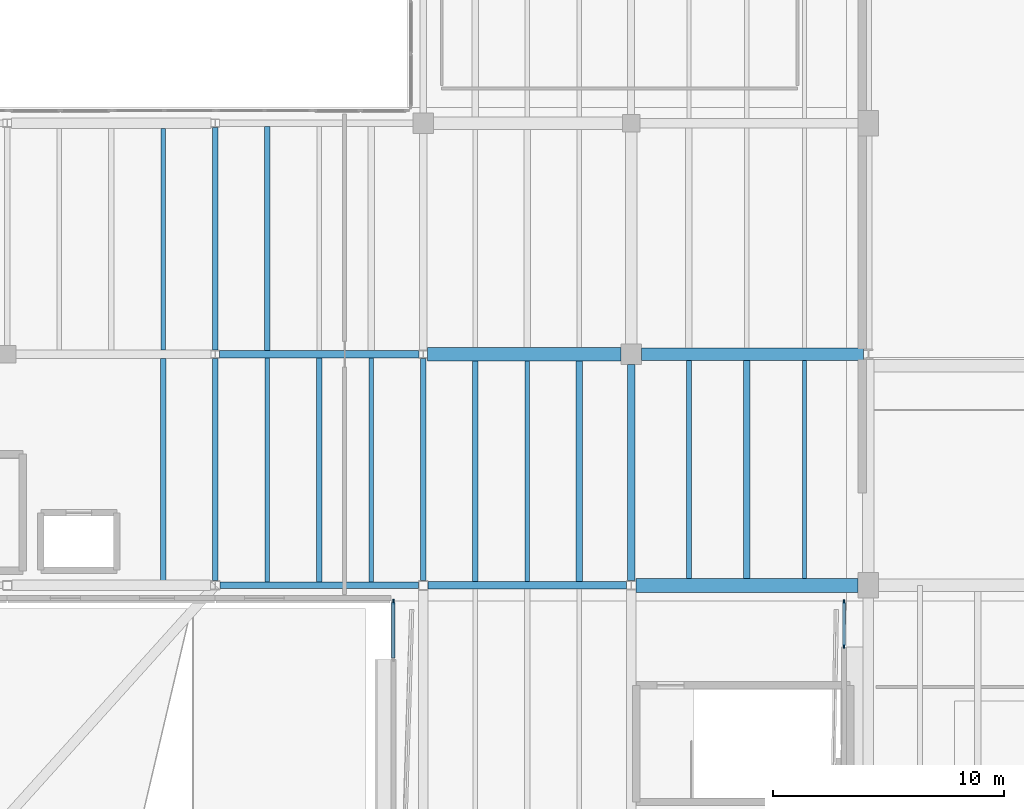
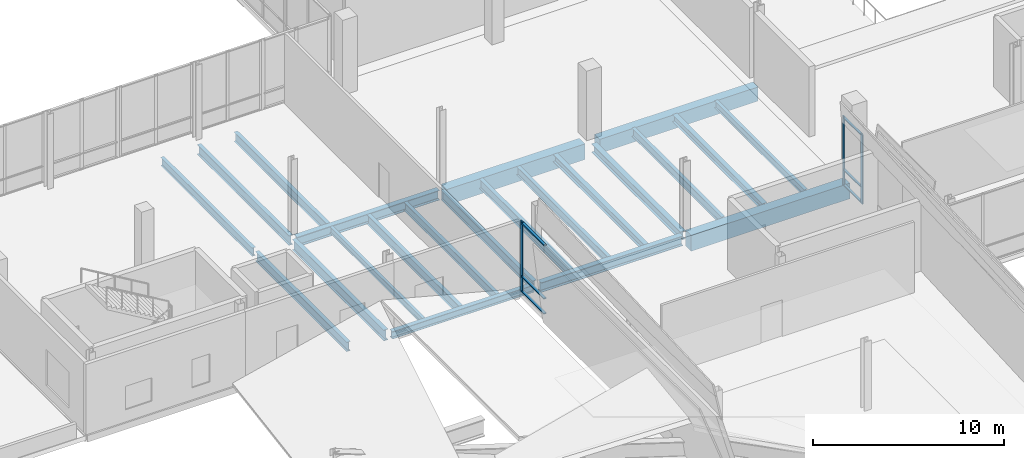
# One storey, part 14 of 41: 22 beams, 9 members, 2 elements without a shape of their own.
"""IFC4 building model written with IfcOpenShell, lengths in metres."""

from ifc_helpers import new_model, si_unit, direction, frame, origin, origin_2d, place, context, subcontext, project, spatial, rectangle, i_section, extrude, material, material_profile, profile_set, type_object, element, aggregate, save


model = new_model("IFC4")

# Units and contexts
model_context = context("Model", 3, precision=1e-05, world=origin(), true_north=direction((0.0, 1.0)))
body_context = subcontext(model_context, "Body", "Model", "MODEL_VIEW")
ifc_project = project(units=[si_unit("LENGTHUNIT", "METRE"), si_unit("AREAUNIT", "SQUARE_METRE"), si_unit("VOLUMEUNIT", "CUBIC_METRE"), si_unit("PLANEANGLEUNIT", "RADIAN"), si_unit("MASSUNIT", "GRAM", prefix="KILO")], contexts=[model_context])

# Site, building, storey
site_placement = place(None, origin())
site = spatial("IfcSite", under=ifc_project, at=site_placement, CompositionType="ELEMENT")
building_placement = place(site_placement, origin())
building = spatial("IfcBuilding", under=site, at=building_placement, Name="Trimount Lyric Opera House", CompositionType="ELEMENT")
storey_placement = place(building_placement, frame((0.0, 0.0, 20.0)))
storey = spatial("IfcBuildingStorey", under=building, at=storey_placement, Name="L04", CompositionType="ELEMENT", Elevation=20.0)

# Beams
ifc_material_1 = material(Name="Steel ASTM A992 Grade 50", Category="steel")
ifc_material_profile_1 = material_profile(ifc_material_1, i_section(OverallWidth=0.25390625, OverallDepth=0.68798828125, WebThickness=0.01318359375, FlangeThickness=0.02099609375, FilletRadius=0.01611328125, at=origin_2d()), Name="W27X102")
ifc_profile_set_1 = profile_set([ifc_material_profile_1], Name="Steel ASTM A992 Grade 50")
beam_type_1 = type_object("IfcBeamType", Name="B-09", PredefinedType="BEAM", material=ifc_profile_set_1)
beam_1_placement = place(storey_placement, frame((36.0, 54.20849609375, -0.6240234375), z_axis=(0.0, 1.0, 0.0), x_axis=(-1.0, 0.0, 0.0)))
element("IfcBeam", 1, at=beam_1_placement, inside=storey, type_object=beam_type_1, Name="L04 girder Y-1192", PredefinedType="BEAM", context=body_context, shape_type="SweptSolid", body=[
    extrude(i_section(OverallWidth=0.25390625, OverallDepth=0.68798828125, WebThickness=0.01318359375, FlangeThickness=0.02099609375, FilletRadius=0.01611328125, at=origin_2d()), origin(), (0.0, 0.0, 1.0), 9.613525390625),
])
ifc_material_2 = material(Name="Steel ASTM A992 Grade 50", Category="steel")
ifc_material_profile_2 = material_profile(ifc_material_2, i_section(OverallWidth=0.327880859375, OverallDepth=0.626953125, WebThickness=0.0166015625, FlangeThickness=0.027587890625, FilletRadius=0.01611328125, at=origin_2d()), Name="W24X146")
ifc_profile_set_2 = profile_set([ifc_material_profile_2], Name="Steel ASTM A992 Grade 50")
beam_type_2 = type_object("IfcBeamType", Name="B-10", PredefinedType="BEAM", material=ifc_profile_set_2)
beam_2_placement = place(storey_placement, frame((45.203125, 54.0, -0.593505859375), z_axis=(1.0, 0.0, 0.0), x_axis=(0.0, 1.0, 0.0)))
element("IfcBeam", 2, at=beam_2_placement, inside=storey, type_object=beam_type_2, Name="L04 girder X-1140", PredefinedType="BEAM", context=body_context, shape_type="SweptSolid", body=[
    extrude(i_section(OverallWidth=0.327880859375, OverallDepth=0.626953125, WebThickness=0.0166015625, FlangeThickness=0.027587890625, FilletRadius=0.01611328125, at=origin_2d()), origin(), (0.0, 0.0, 1.0), 8.593994140625),
])
beam_3_placement = place(storey_placement, frame((36.18408203125, 64.0, -0.593505859375), z_axis=(1.0, 0.0, 0.0), x_axis=(0.0, 1.0, 0.0)))
element("IfcBeam", 3, at=beam_3_placement, inside=storey, type_object=beam_type_2, Name="L04 girder X-1152", PredefinedType="BEAM", context=body_context, shape_type="SweptSolid", body=[
    extrude(i_section(OverallWidth=0.327880859375, OverallDepth=0.626953125, WebThickness=0.0166015625, FlangeThickness=0.027587890625, FilletRadius=0.01611328125, at=origin_2d()), origin(), (0.0, 0.0, 1.0), 8.6318359375),
])
ifc_material_3 = material(Name="Steel ASTM A992 Grade 50", Category="steel")
ifc_material_profile_3 = material_profile(ifc_material_3, i_section(OverallWidth=0.22998046875, OverallDepth=0.616943359375, WebThickness=0.01318359375, FlangeThickness=0.022216796875, FilletRadius=0.013916015625, at=origin_2d()), Name="W24X94")
ifc_profile_set_3 = profile_set([ifc_material_profile_3], Name="Steel ASTM A992 Grade 50")
beam_type_3 = type_object("IfcBeamType", Name="B-11", PredefinedType="BEAM", material=ifc_profile_set_3)
beam_4_placement = place(storey_placement, frame((36.0, 64.177978515625, -0.58837890625), z_axis=(0.0, 1.0, 0.0), x_axis=(-1.0, 0.0, 0.0)))
element("IfcBeam", 4, at=beam_4_placement, inside=storey, type_object=beam_type_3, Name="L04 girder Y-1193", PredefinedType="BEAM", context=body_context, shape_type="SweptSolid", body=[
    extrude(i_section(OverallWidth=0.22998046875, OverallDepth=0.616943359375, WebThickness=0.01318359375, FlangeThickness=0.022216796875, FilletRadius=0.013916015625, at=origin_2d()), origin(), (0.0, 0.0, 1.0), 9.64404296875),
])
beam_5_placement = place(storey_placement, frame((45.0, 54.203125, -0.58837890625), z_axis=(0.0, 1.0, 0.0), x_axis=(-1.0, 0.0, 0.0)))
element("IfcBeam", 5, at=beam_5_placement, inside=storey, type_object=beam_type_3, Name="L04 girder Y-1199", PredefinedType="BEAM", context=body_context, shape_type="SweptSolid", body=[
    extrude(i_section(OverallWidth=0.22998046875, OverallDepth=0.616943359375, WebThickness=0.01318359375, FlangeThickness=0.022216796875, FilletRadius=0.013916015625, at=origin_2d()), origin(), (0.0, 0.0, 1.0), 9.618896484375),
])
ifc_material_4 = material(Name="Steel ASTM A992 Grade 50", Category="steel")
ifc_material_profile_4 = material_profile(ifc_material_4, i_section(OverallWidth=0.31201171875, OverallDepth=0.5458984375, WebThickness=0.013916015625, FlangeThickness=0.022216796875, FilletRadius=0.014892578125, at=origin_2d()), Name="W21X111")
ifc_profile_set_4 = profile_set([ifc_material_profile_4], Name="Steel ASTM A992 Grade 50")
beam_type_4 = type_object("IfcBeamType", Name="B-12", PredefinedType="BEAM", material=ifc_profile_set_4)
beam_6_placement = place(storey_placement, frame((54.0, 54.20849609375, -0.552978515625), z_axis=(0.0, 1.0, 0.0), x_axis=(-1.0, 0.0, 0.0)))
element("IfcBeam", 6, at=beam_6_placement, inside=storey, type_object=beam_type_4, Name="L04 girder Y-1209", PredefinedType="BEAM", context=body_context, shape_type="SweptSolid", body=[
    extrude(i_section(OverallWidth=0.31201171875, OverallDepth=0.5458984375, WebThickness=0.013916015625, FlangeThickness=0.022216796875, FilletRadius=0.014892578125, at=origin_2d()), origin(), (0.0, 0.0, 1.0), 9.341552734375),
])
ifc_material_5 = material(Name="Concrete C40/50", Category="concrete")
ifc_material_profile_5 = material_profile(ifc_material_5, rectangle(XDim=0.60009765625, YDim=1.0, at=origin_2d()), Name="RC600X1000")
ifc_profile_set_5 = profile_set([ifc_material_profile_5], Name="Concrete C40/50")
beam_type_5 = type_object("IfcBeamType", Name="B-13", PredefinedType="BEAM", material=ifc_profile_set_5)
beam_7_placement = place(storey_placement, frame((54.202880859375, 54.0, -0.824951171875), z_axis=(1.0, 0.0, 0.0), x_axis=(0.0, 1.0, 0.0)))
element("IfcBeam", 7, at=beam_7_placement, inside=storey, type_object=beam_type_5, Name="L04 girder X-1141", PredefinedType="BEAM", context=body_context, shape_type="SweptSolid", body=[
    extrude(rectangle(XDim=0.60009765625, YDim=1.0, at=origin_2d()), origin(), (0.0, 0.0, 1.0), 9.607177734375),
])
beam_8_placement = place(storey_placement, frame((45.18408203125, 64.0, -0.780029296875), z_axis=(1.0, 0.0, 0.0), x_axis=(0.0, 1.0, 0.0)))
element("IfcBeam", 8, at=beam_8_placement, inside=storey, type_object=beam_type_5, Name="L04 girder X-1153", PredefinedType="BEAM", context=body_context, shape_type="SweptSolid", body=[
    extrude(rectangle(XDim=0.60009765625, YDim=1.0, at=origin_2d()), origin(), (0.0, 0.0, 1.0), 8.365966796875),
])
ifc_material_6 = material(Name="Concrete C40/50", Category="concrete")
ifc_material_profile_6 = material_profile(ifc_material_6, rectangle(XDim=0.550048828125, YDim=0.89990234375, at=origin_2d()), Name="RC550X900")
ifc_profile_set_6 = profile_set([ifc_material_profile_6], Name="Concrete C40/50")
beam_type_6 = type_object("IfcBeamType", Name="B-14", PredefinedType="BEAM", material=ifc_profile_set_6)
beam_9_placement = place(storey_placement, frame((54.449951171875, 64.0, -0.77490234375), z_axis=(1.0, 0.0, 0.0), x_axis=(0.0, 1.0, 0.0)))
element("IfcBeam", 9, at=beam_9_placement, inside=storey, type_object=beam_type_6, Name="L04 girder X-1154", PredefinedType="BEAM", context=body_context, shape_type="SweptSolid", body=[
    extrude(rectangle(XDim=0.550048828125, YDim=0.89990234375, at=origin_2d()), origin(), (0.0, 0.0, 1.0), 9.59912109375),
])
ifc_material_7 = material(Name="Steel ASTM A992 Grade 50", Category="steel")
ifc_material_profile_7 = material_profile(ifc_material_7, i_section(OverallWidth=0.22802734375, OverallDepth=0.60205078125, WebThickness=0.010498046875, FlangeThickness=0.014892578125, FilletRadius=0.012939453125, at=origin_2d()), Name="W24X68")
ifc_profile_set_7 = profile_set([ifc_material_profile_7], Name="Steel ASTM A992 Grade 50")
beam_type_7 = type_object("IfcBeamType", Name="J-01", PredefinedType="BEAM", material=ifc_profile_set_7)
beam_10_placement = place(storey_placement, frame((33.75, 54.220947265625, -0.5810546875), z_axis=(0.0, 1.0, 0.0), x_axis=(-1.0, 0.0, 0.0)))
element("IfcBeam", 10, at=beam_10_placement, inside=storey, type_object=beam_type_7, Name="L04 composite floor joist 1137", PredefinedType="BEAM", context=body_context, shape_type="SweptSolid", body=[
    extrude(i_section(OverallWidth=0.22802734375, OverallDepth=0.60205078125, WebThickness=0.010498046875, FlangeThickness=0.014892578125, FilletRadius=0.012939453125, at=origin_2d()), origin(), (0.0, 0.0, 1.0), 9.60498046875),
])
for number, where, z_axis, x_axis, name in (
    (11, (40.5, 54.136962890625, -0.5810546875), (0.0, 1.0, 0.0), (-1.0, 0.0, 0.0), "L04 composite floor joist 1142"),
    (12, (38.25, 64.159912109375, -0.5810546875), (0.0, 1.0, 0.0), (-1.0, 0.0, 0.0), "L04 composite floor joist 1144"),
):
    element("IfcBeam", number, at=place(storey_placement, frame(where, z_axis=z_axis, x_axis=x_axis)), inside=storey, type_object=beam_type_7, Name=name, PredefinedType="BEAM", context=body_context, shape_type="SweptSolid", body=[
        extrude(i_section(OverallWidth=0.22802734375, OverallDepth=0.60205078125, WebThickness=0.010498046875, FlangeThickness=0.014892578125, FilletRadius=0.012939453125, at=origin_2d()), origin(), (0.0, 0.0, 1.0), 9.703125),
    ])
beam_11_placement = place(storey_placement, frame((47.25, 54.159912109375, -0.5810546875), z_axis=(0.0, 1.0, 0.0), x_axis=(-1.0, 0.0, 0.0)))
element("IfcBeam", 13, at=beam_11_placement, inside=storey, type_object=beam_type_7, Name="L04 composite floor joist 1162", PredefinedType="BEAM", context=body_context, shape_type="SweptSolid", body=[
    extrude(i_section(OverallWidth=0.22802734375, OverallDepth=0.60205078125, WebThickness=0.010498046875, FlangeThickness=0.014892578125, FilletRadius=0.012939453125, at=origin_2d()), origin(), (0.0, 0.0, 1.0), 9.544189453125),
])
ifc_material_8 = material(Name="Steel ASTM A992 Grade 50", Category="steel")
ifc_material_profile_8 = material_profile(ifc_material_8, i_section(OverallWidth=0.2099609375, OverallDepth=0.532958984375, WebThickness=0.01025390625, FlangeThickness=0.015625, FilletRadius=0.012939453125, at=origin_2d()), Name="W21X62")
ifc_profile_set_8 = profile_set([ifc_material_profile_8], Name="Steel ASTM A992 Grade 50")
beam_type_8 = type_object("IfcBeamType", Name="J-02", PredefinedType="BEAM", material=ifc_profile_set_8)
beam_12_placement = place(storey_placement, frame((33.75, 64.174072265625, -0.54638671875), z_axis=(0.0, 1.0, 0.0), x_axis=(-1.0, 0.0, 0.0)))
element("IfcBeam", 14, at=beam_12_placement, inside=storey, type_object=beam_type_8, Name="L04 composite floor joist 1140", PredefinedType="BEAM", context=body_context, shape_type="SweptSolid", body=[
    extrude(i_section(OverallWidth=0.2099609375, OverallDepth=0.532958984375, WebThickness=0.01025390625, FlangeThickness=0.015625, FilletRadius=0.012939453125, at=origin_2d()), origin(), (0.0, 0.0, 1.0), 9.60498046875),
])
beam_13_placement = place(storey_placement, frame((42.75, 54.136962890625, -0.54638671875), z_axis=(0.0, 1.0, 0.0), x_axis=(-1.0, 0.0, 0.0)))
element("IfcBeam", 15, at=beam_13_placement, inside=storey, type_object=beam_type_8, Name="L04 composite floor joist 1143", PredefinedType="BEAM", context=body_context, shape_type="SweptSolid", body=[
    extrude(i_section(OverallWidth=0.2099609375, OverallDepth=0.532958984375, WebThickness=0.01025390625, FlangeThickness=0.015625, FilletRadius=0.012939453125, at=origin_2d()), origin(), (0.0, 0.0, 1.0), 9.703125),
])
beam_14_placement = place(storey_placement, frame((49.5, 54.159912109375, -0.54638671875), z_axis=(0.0, 1.0, 0.0), x_axis=(-1.0, 0.0, 0.0)))
element("IfcBeam", 16, at=beam_14_placement, inside=storey, type_object=beam_type_8, Name="L04 composite floor joist 1163", PredefinedType="BEAM", context=body_context, shape_type="SweptSolid", body=[
    extrude(i_section(OverallWidth=0.2099609375, OverallDepth=0.532958984375, WebThickness=0.01025390625, FlangeThickness=0.015625, FilletRadius=0.012939453125, at=origin_2d()), origin(), (0.0, 0.0, 1.0), 9.544189453125),
])
beam_15_placement = place(storey_placement, frame((56.5, 54.2958984375, -0.54638671875), z_axis=(0.0, 1.0, 0.0), x_axis=(-1.0, 0.0, 0.0)))
element("IfcBeam", 17, at=beam_15_placement, inside=storey, type_object=beam_type_8, Name="L04 composite floor joist 1183", PredefinedType="BEAM", context=body_context, shape_type="SweptSolid", body=[
    extrude(i_section(OverallWidth=0.2099609375, OverallDepth=0.532958984375, WebThickness=0.01025390625, FlangeThickness=0.015625, FilletRadius=0.012939453125, at=origin_2d()), origin(), (0.0, 0.0, 1.0), 9.43310546875),
])
ifc_material_9 = material(Name="Steel ASTM A992 Grade 50", Category="steel")
ifc_material_profile_9 = material_profile(ifc_material_9, i_section(OverallWidth=0.281982421875, OverallDepth=0.467041015625, WebThickness=0.01220703125, FlangeThickness=0.01953125, FilletRadius=0.012939453125, at=origin_2d()), Name="W18X86")
ifc_profile_set_9 = profile_set([ifc_material_profile_9], Name="Steel ASTM A992 Grade 50")
beam_type_9 = type_object("IfcBeamType", Name="J-03", PredefinedType="BEAM", material=ifc_profile_set_9)
beam_16_placement = place(storey_placement, frame((51.75, 54.159912109375, -0.513427734375), z_axis=(0.0, 1.0, 0.0), x_axis=(-1.0, 0.0, 0.0)))
element("IfcBeam", 18, at=beam_16_placement, inside=storey, type_object=beam_type_9, Name="L04 composite floor joist 1164", PredefinedType="BEAM", context=body_context, shape_type="SweptSolid", body=[
    extrude(i_section(OverallWidth=0.281982421875, OverallDepth=0.467041015625, WebThickness=0.01220703125, FlangeThickness=0.01953125, FilletRadius=0.012939453125, at=origin_2d()), origin(), (0.0, 0.0, 1.0), 9.544189453125),
])
beam_17_placement = place(storey_placement, frame((59.0, 54.2958984375, -0.513427734375), z_axis=(0.0, 1.0, 0.0), x_axis=(-1.0, 0.0, 0.0)))
element("IfcBeam", 19, at=beam_17_placement, inside=storey, type_object=beam_type_9, Name="L04 composite floor joist 1184", PredefinedType="BEAM", context=body_context, shape_type="SweptSolid", body=[
    extrude(i_section(OverallWidth=0.281982421875, OverallDepth=0.467041015625, WebThickness=0.01220703125, FlangeThickness=0.01953125, FilletRadius=0.012939453125, at=origin_2d()), origin(), (0.0, 0.0, 1.0), 9.43310546875),
])
ifc_material_10 = material(Name="Steel ASTM A992 Grade 50", Category="steel")
ifc_material_profile_10 = material_profile(ifc_material_10, i_section(OverallWidth=0.19091796875, OverallDepth=0.45703125, WebThickness=0.009033203125, FlangeThickness=0.014404296875, FilletRadius=0.010986328125, at=origin_2d()), Name="W18X50")
ifc_profile_set_10 = profile_set([ifc_material_profile_10], Name="Steel ASTM A992 Grade 50")
beam_type_10 = type_object("IfcBeamType", Name="J-04", PredefinedType="BEAM", material=ifc_profile_set_10)
beam_18_placement = place(storey_placement, frame((61.5, 54.2958984375, -0.508544921875), z_axis=(0.0, 1.0, 0.0), x_axis=(-1.0, 0.0, 0.0)))
element("IfcBeam", 20, at=beam_18_placement, inside=storey, type_object=beam_type_10, Name="L04 composite floor joist 1185", PredefinedType="BEAM", context=body_context, shape_type="SweptSolid", body=[
    extrude(i_section(OverallWidth=0.19091796875, OverallDepth=0.45703125, WebThickness=0.009033203125, FlangeThickness=0.014404296875, FilletRadius=0.010986328125, at=origin_2d()), origin(), (0.0, 0.0, 1.0), 9.43310546875),
])
ifc_material_11 = material(Name="Steel ASTM A992 Grade 50", Category="steel")
ifc_material_profile_11 = material_profile(ifc_material_11, i_section(OverallWidth=0.177978515625, OverallDepth=0.404052734375, WebThickness=0.007568359375, FlangeThickness=0.010986328125, FilletRadius=0.010009765625, at=origin_2d()), Name="W16X36")
ifc_profile_set_11 = profile_set([ifc_material_profile_11], Name="Steel ASTM A992 Grade 50")
beam_type_11 = type_object("IfcBeamType", Name="J-06", PredefinedType="BEAM", material=ifc_profile_set_11)
beam_19_placement = place(storey_placement, frame((38.25, 54.136962890625, -0.48193359375), z_axis=(0.0, 1.0, 0.0), x_axis=(-1.0, 0.0, 0.0)))
element("IfcBeam", 21, at=beam_19_placement, inside=storey, type_object=beam_type_11, Name="L04 composite floor joist 1141", PredefinedType="BEAM", context=body_context, shape_type="SweptSolid", body=[
    extrude(i_section(OverallWidth=0.177978515625, OverallDepth=0.404052734375, WebThickness=0.007568359375, FlangeThickness=0.010986328125, FilletRadius=0.010009765625, at=origin_2d()), origin(), (0.0, 0.0, 1.0), 9.703125),
])

# Curtain wall, member
ifc_material_12 = material(Name="Thermally Broken Aluminium and Low-E Glass", Category="aluminium")
curtain_wall_type = type_object("IfcCurtainWallType", Name="CW-02", PredefinedType="NOTDEFINED", material=ifc_material_12)
curtain_wall_1_placement = place(storey_placement, origin())
curtain_wall_1 = element("IfcCurtainWall", 22, at=curtain_wall_1_placement, inside=storey, type_object=curtain_wall_type, Name="L04 crystal fold glazed slit 306", PredefinedType="NOTDEFINED")
ifc_material_13 = material(Name="Anodised Aluminium 6063-T6", Category="aluminium")
ifc_material_profile_12 = material_profile(ifc_material_13, rectangle(XDim=0.070068359375, YDim=0.219970703125, at=origin_2d()), Name="ALU-MULL-70X220")
ifc_profile_set_12 = profile_set([ifc_material_profile_12], Name="Anodised Aluminium 6063-T6")
member_type_1 = type_object("IfcMemberType", Name="ML-01", PredefinedType="MULLION", material=ifc_profile_set_12)
member_1_placement = place(storey_placement, frame((43.7099609375, 53.284912109375, 0.0), z_axis=(0.0, 0.0, 1.0), x_axis=(-1.0, 0.0, 0.0)))
member_1 = element("IfcMember", 23, at=member_1_placement, type_object=member_type_1, Name="CW-02 mullion 2", PredefinedType="MULLION", context=body_context, shape_type="SweptSolid", body=[
    extrude(rectangle(XDim=0.070068359375, YDim=0.219970703125, at=origin_2d()), origin(), (0.0, 0.0, 1.0), 4.5400390625),
])

# Curtain wall, members
curtain_wall_2_placement = place(storey_placement, origin())
curtain_wall_2 = element("IfcCurtainWall", 24, at=curtain_wall_2_placement, inside=storey, type_object=curtain_wall_type, Name="L04 crystal fold glazed slit 334", PredefinedType="NOTDEFINED")
ifc_material_14 = material(Name="Anodised Aluminium 6063-T6", Category="aluminium")
ifc_material_profile_13 = material_profile(ifc_material_14, rectangle(XDim=0.06494140625, YDim=0.179931640625, at=origin_2d()), Name="ALU-MULL-65X180")
ifc_profile_set_13 = profile_set([ifc_material_profile_13], Name="Anodised Aluminium 6063-T6")
member_type_2 = type_object("IfcMemberType", Name="ML-02", PredefinedType="MULLION", material=ifc_profile_set_13)
member_2_placement = place(storey_placement, frame((63.2099609375, 51.37255859375, 0.0), z_axis=(0.0, 0.0, 1.0), x_axis=(-1.0, 0.0, 0.0)))
member_2 = element("IfcMember", 25, at=member_2_placement, type_object=member_type_2, Name="CW-02 mullion 1", PredefinedType="MULLION", context=body_context, shape_type="SweptSolid", body=[
    extrude(rectangle(XDim=0.06494140625, YDim=0.179931640625, at=origin_2d()), origin(), (0.0, 0.0, 1.0), 4.449951171875),
])
member_3_placement = place(storey_placement, frame((63.2099609375, 53.28759765625, 0.0), z_axis=(0.0, 0.0, 1.0), x_axis=(-1.0, 0.0, 0.0)))
member_3 = element("IfcMember", 26, at=member_3_placement, type_object=member_type_2, Name="CW-02 mullion 2", PredefinedType="MULLION", context=body_context, shape_type="SweptSolid", body=[
    extrude(rectangle(XDim=0.06494140625, YDim=0.179931640625, at=origin_2d()), origin(), (0.0, 0.0, 1.0), 4.449951171875),
])

# Beam
ifc_material_15 = material(Name="Steel ASTM A992 Grade 50", Category="steel")
ifc_material_profile_14 = material_profile(ifc_material_15, i_section(OverallWidth=0.281982421875, OverallDepth=0.467041015625, WebThickness=0.01220703125, FlangeThickness=0.01953125, FilletRadius=0.012939453125, at=origin_2d()), Name="W18X86")
ifc_profile_set_14 = profile_set([ifc_material_profile_14], Name="Steel ASTM A992 Grade 50")
beam_type_12 = type_object("IfcBeamType", Name="SP-01", PredefinedType="SPANDREL", material=ifc_profile_set_14)
beam_20_placement = place(storey_placement, frame((36.202880859375, 54.0, -0.513427734375), z_axis=(1.0, 0.0, 0.0), x_axis=(0.0, 1.0, 0.0)))
element("IfcBeam", 27, at=beam_20_placement, inside=storey, type_object=beam_type_12, Name="L04 girder X-1139", PredefinedType="SPANDREL", context=body_context, shape_type="SweptSolid", body=[
    extrude(i_section(OverallWidth=0.281982421875, OverallDepth=0.467041015625, WebThickness=0.01220703125, FlangeThickness=0.01953125, FilletRadius=0.012939453125, at=origin_2d()), origin(), (0.0, 0.0, 1.0), 8.593994140625),
])

# Member
ifc_material_16 = material(Name="Anodised Aluminium 6063-T6", Category="aluminium")
ifc_material_profile_15 = material_profile(ifc_material_16, rectangle(XDim=0.159912109375, YDim=0.070068359375, at=origin_2d()), Name="ALU-TRAN-70X160")
ifc_profile_set_15 = profile_set([ifc_material_profile_15], Name="Anodised Aluminium 6063-T6")
member_type_3 = type_object("IfcMemberType", Name="TR-01", PredefinedType="USERDEFINED", material=ifc_profile_set_15)
member_4_placement = place(storey_placement, frame((43.7099609375, 50.860107421875, 0.080078125), z_axis=(0.0, 1.0, 0.0), x_axis=(-1.0, 0.0, 0.0)))
member_4 = element("IfcMember", 28, at=member_4_placement, type_object=member_type_3, Name="CW-02 transom 1.1", ObjectType="TRANSOM", PredefinedType="USERDEFINED", context=body_context, shape_type="SweptSolid", body=[
    extrude(rectangle(XDim=0.159912109375, YDim=0.070068359375, at=origin_2d()), origin(), (0.0, 0.0, 1.0), 2.389892578125),
])

member_5_placement = place(storey_placement, frame((43.7099609375, 50.860107421875, 1.050048828125), z_axis=(0.0, 1.0, 0.0), x_axis=(-1.0, 0.0, 0.0)))
member_5 = element("IfcMember", 29, at=member_5_placement, type_object=member_type_3, Name="CW-02 transom 1.2", ObjectType="TRANSOM", PredefinedType="USERDEFINED", context=body_context, shape_type="SweptSolid", body=[
    extrude(rectangle(XDim=0.159912109375, YDim=0.070068359375, at=origin_2d()), origin(), (0.0, 0.0, 1.0), 2.389892578125),
])

member_6_placement = place(storey_placement, frame((43.7099609375, 50.860107421875, 4.4599609375), z_axis=(0.0, 1.0, 0.0), x_axis=(-1.0, 0.0, 0.0)))
member_6 = element("IfcMember", 30, at=member_6_placement, type_object=member_type_3, Name="CW-02 transom 1.3", ObjectType="TRANSOM", PredefinedType="USERDEFINED", context=body_context, shape_type="SweptSolid", body=[
    extrude(rectangle(XDim=0.159912109375, YDim=0.070068359375, at=origin_2d()), origin(), (0.0, 0.0, 1.0), 2.389892578125),
])

aggregate(curtain_wall_1, [member_1, member_4, member_5, member_6])

ifc_material_17 = material(Name="Anodised Aluminium 6063-T6", Category="aluminium")
ifc_material_profile_16 = material_profile(ifc_material_17, rectangle(XDim=0.135009765625, YDim=0.06494140625, at=origin_2d()), Name="ALU-TRAN-65X135")
ifc_profile_set_16 = profile_set([ifc_material_profile_16], Name="Anodised Aluminium 6063-T6")
member_type_4 = type_object("IfcMemberType", Name="TR-02", PredefinedType="USERDEFINED", material=ifc_profile_set_16)
member_7_placement = place(storey_placement, frame((63.2099609375, 51.405029296875, 0.0673828125), z_axis=(0.0, 1.0, 0.0), x_axis=(-1.0, 0.0, 0.0)))
member_7 = element("IfcMember", 31, at=member_7_placement, type_object=member_type_4, Name="CW-02 transom 1.1", ObjectType="TRANSOM", PredefinedType="USERDEFINED", context=body_context, shape_type="SweptSolid", body=[
    extrude(rectangle(XDim=0.135009765625, YDim=0.06494140625, at=origin_2d()), origin(), (0.0, 0.0, 1.0), 1.849853515625),
])

member_8_placement = place(storey_placement, frame((63.2099609375, 51.405029296875, 1.050048828125), z_axis=(0.0, 1.0, 0.0), x_axis=(-1.0, 0.0, 0.0)))
member_8 = element("IfcMember", 32, at=member_8_placement, type_object=member_type_4, Name="CW-02 transom 1.2", ObjectType="TRANSOM", PredefinedType="USERDEFINED", context=body_context, shape_type="SweptSolid", body=[
    extrude(rectangle(XDim=0.135009765625, YDim=0.06494140625, at=origin_2d()), origin(), (0.0, 0.0, 1.0), 1.849853515625),
])

member_9_placement = place(storey_placement, frame((63.2099609375, 51.405029296875, 4.382568359375), z_axis=(0.0, 1.0, 0.0), x_axis=(-1.0, 0.0, 0.0)))
member_9 = element("IfcMember", 33, at=member_9_placement, type_object=member_type_4, Name="CW-02 transom 1.3", ObjectType="TRANSOM", PredefinedType="USERDEFINED", context=body_context, shape_type="SweptSolid", body=[
    extrude(rectangle(XDim=0.135009765625, YDim=0.06494140625, at=origin_2d()), origin(), (0.0, 0.0, 1.0), 1.849853515625),
])

aggregate(curtain_wall_2, [member_2, member_3, member_7, member_8, member_9])

save(model, "model.ifc")
